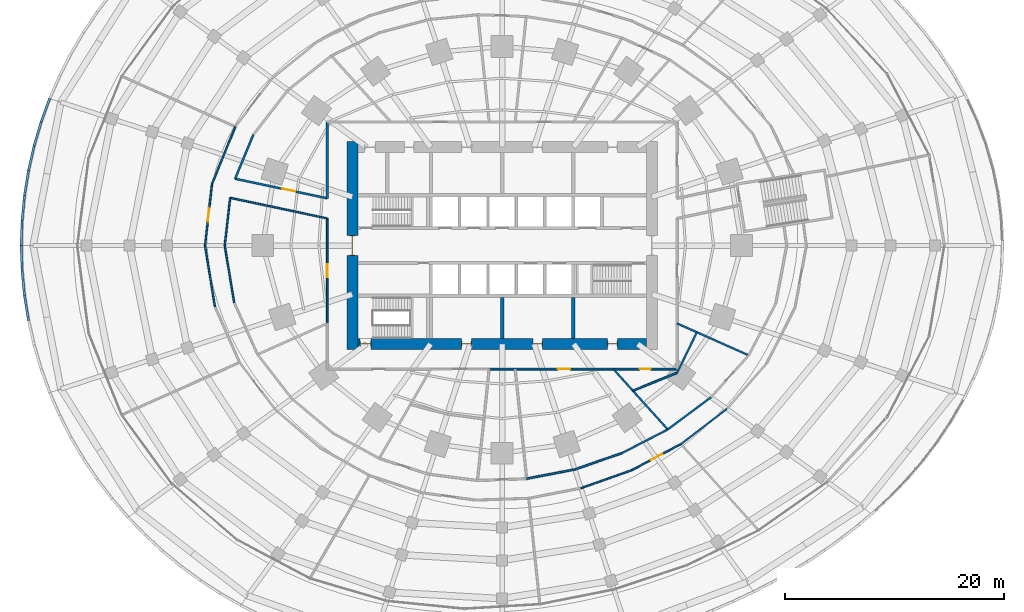
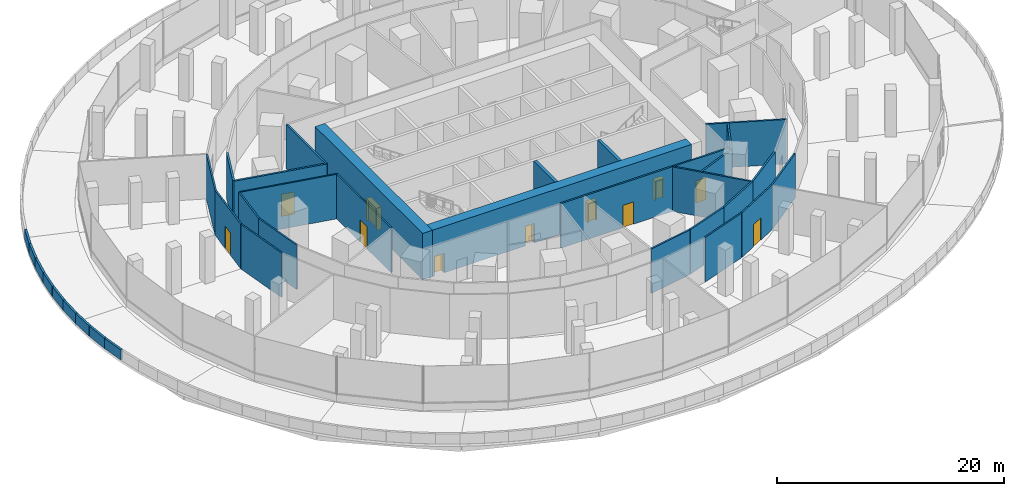
# One storey, part 23 of 31: 35 walls, 11 doors, 11 openings.
"""IFC4 building model written with IfcOpenShell, lengths in metres."""

from ifc_helpers import new_model, si_unit, direction, frame, frame_2d, origin, place, context, subcontext, project, spatial, rectangle, extrude, material, layer, layer_set, type_object, element, fill, save


model = new_model("IFC4")

# Units and contexts
model_context = context("Model", 3, precision=1e-05, world=origin(), true_north=direction((0.0, 1.0)))
body_context = subcontext(model_context, "Body", "Model", "MODEL_VIEW")
ifc_project = project(units=[si_unit("LENGTHUNIT", "METRE"), si_unit("AREAUNIT", "SQUARE_METRE"), si_unit("VOLUMEUNIT", "CUBIC_METRE"), si_unit("PLANEANGLEUNIT", "RADIAN"), si_unit("MASSUNIT", "GRAM", prefix="KILO")], contexts=[model_context])

# Site, building, storey
site_placement = place(None, origin())
site = spatial("IfcSite", under=ifc_project, at=site_placement, CompositionType="ELEMENT")
building_placement = place(site_placement, origin())
building = spatial("IfcBuilding", under=site, at=building_placement, Name="Marramba Exchange Tower", CompositionType="ELEMENT")
storey_placement = place(building_placement, frame((0.0, 0.0, 5.60009765625)))
storey = spatial("IfcBuildingStorey", under=building, at=storey_placement, Name="L01", CompositionType="ELEMENT", Elevation=5.60009765625)

# Walls
ifc_material_1 = material(Name="Plasterboard on staggered double steel studs, acoustic insulation", Category="steel")
ifc_layer_1 = layer(ifc_material_1, 0.169921875)
ifc_layer_set_1 = layer_set([ifc_layer_1], Name="Acoustic partition 170")
wall_type_1 = type_object("IfcWallType", Name="Acoustic partition 170", PredefinedType="PARTITIONING", material=ifc_layer_set_1)
wall_1_placement = place(storey_placement, frame((6.652587890625, -20.474609375, 0.0), z_axis=(0.0, 0.0, 1.0), x_axis=(-0.981933890717, -0.189224296169, 0.0)))
element("IfcWall", 1, at=wall_1_placement, inside=storey, type_object=wall_type_1, Name="Acoustic partition L01 31", PredefinedType="PARTITIONING", context=body_context, shape_type="SweptSolid", body=[
    extrude(rectangle(XDim=4.492431640625, YDim=0.169921875, at=frame_2d((2.24609375, 0.0))), origin(), (0.0, 0.0, 1.0), 4.7998046875),
])
wall_2_placement = place(storey_placement, frame((10.9599609375, -18.983154296875, 0.0), z_axis=(0.0, 0.0, 1.0), x_axis=(-0.944956141071, -0.327197022377, 0.0)))
element("IfcWall", 2, at=wall_2_placement, inside=storey, type_object=wall_type_1, Name="Acoustic partition L01 33", PredefinedType="PARTITIONING", context=body_context, shape_type="SweptSolid", body=[
    extrude(rectangle(XDim=4.558349609375, YDim=0.169921875, at=frame_2d((2.279296875, 0.0))), origin(), (0.0, 0.0, 1.0), 4.7998046875),
])

# Wall, openings, doors
wall_3_placement = place(storey_placement, frame((-1.187744140625, -11.300048828125, 0.0), z_axis=(0.0, 0.0, 1.0), x_axis=(1.0, 0.0, 0.0)))
wall_3 = element("IfcWall", 3, at=wall_3_placement, inside=storey, type_object=wall_type_1, Name="Acoustic partition L01 34", PredefinedType="PARTITIONING", context=body_context, shape_type="SweptSolid", body=[
    extrude(rectangle(XDim=17.187744140625, YDim=0.169921875, at=frame_2d((8.59375, 0.0))), origin(), (0.0, 0.0, 1.0), 4.7998046875),
])
opening_1_placement = place(wall_3_placement, frame((6.2939453125, 0.0, 0.0)))
opening_1 = element("IfcOpeningElement", 4, at=opening_1_placement, cuts=wall_3, Name="Opening D15", PredefinedType="OPENING", context=body_context, shape_type="SweptSolid", body=[
    extrude(rectangle(XDim=1.10009765625, YDim=2.39990234375, at=frame_2d((0.550048828125, 1.199951171875))), frame((0.0, 0.094970703125, 0.0), z_axis=(0.0, -1.0, 0.0), x_axis=(1.0, 0.0, 0.0)), (0.0, 0.0, 1.0), 0.18994140625),
])
opening_2_placement = place(wall_3_placement, frame((13.77490234375, 0.0, 0.0)))
opening_2 = element("IfcOpeningElement", 5, at=opening_2_placement, cuts=wall_3, Name="Opening D9", PredefinedType="OPENING", context=body_context, shape_type="SweptSolid", body=[
    extrude(rectangle(XDim=1.0, YDim=2.39990234375, at=frame_2d((0.5, 1.199951171875))), frame((0.0, 0.094970703125, 0.0), z_axis=(0.0, -1.0, 0.0), x_axis=(1.0, 0.0, 0.0)), (0.0, 0.0, 1.0), 0.18994140625),
])
ifc_material_2 = material(Name="Timber door", Category="wood")
door_type_1 = type_object("IfcDoorType", Name="Glazed meeting room door 1100x2400", OperationType="SINGLE_SWING_LEFT", PredefinedType="DOOR", material=ifc_material_2)
door_1_placement = place(opening_1_placement, origin())
door_1 = element("IfcDoor", 6, at=door_1_placement, inside=storey, type_object=door_type_1, Name="D15 Meeting Room 3 L01", OperationType="SINGLE_SWING_RIGHT", OverallHeight=2.39990234375, OverallWidth=1.10009765625, PredefinedType="DOOR", context=body_context, shape_type="SweptSolid", body=[
    extrude(rectangle(XDim=1.10009765625, YDim=2.39990234375, at=frame_2d((0.550048828125, 1.199951171875))), frame((0.0, 0.02490234375, 0.0), z_axis=(0.0, -1.0, 0.0), x_axis=(1.0, 0.0, 0.0)), (0.0, 0.0, 1.0), 0.050048828125),
])
fill(opening_1, door_1)
door_type_2 = type_object("IfcDoorType", Name="Room door 1000x2400", OperationType="SINGLE_SWING_LEFT", PredefinedType="DOOR", material=ifc_material_2)
door_2_placement = place(opening_2_placement, frame((1.0, 0.0, 0.0), z_axis=(0.0, 0.0, 1.0), x_axis=(-1.0, 0.0, 0.0)))
door_2 = element("IfcDoor", 7, at=door_2_placement, inside=storey, type_object=door_type_2, Name="D9 Quiet Room L01", OperationType="SINGLE_SWING_RIGHT", OverallHeight=2.39990234375, OverallWidth=1.0, PredefinedType="DOOR", context=body_context, shape_type="SweptSolid", body=[
    extrude(rectangle(XDim=1.0, YDim=2.39990234375, at=frame_2d((0.5, 1.199951171875))), frame((0.0, 0.025146484375, 0.0), z_axis=(0.0, -1.0, 0.0), x_axis=(1.0, 0.0, 0.0)), (0.0, 0.0, 1.0), 0.050048828125),
])
fill(opening_2, door_2)

# Walls
wall_4_placement = place(storey_placement, frame((15.144775390625, -16.81982421875, 0.0), z_axis=(0.0, 0.0, 1.0), x_axis=(-0.888324088064, -0.459217066935, 0.0)))
element("IfcWall", 8, at=wall_4_placement, inside=storey, type_object=wall_type_1, Name="Acoustic partition L01 36", PredefinedType="PARTITIONING", context=body_context, shape_type="SweptSolid", body=[
    extrude(rectangle(XDim=4.7109375, YDim=0.169921875, at=frame_2d((2.35546875, 0.0))), origin(), (0.0, 0.0, 1.0), 4.7998046875),
])
wall_5_placement = place(storey_placement, frame((10.174560546875, -11.300048828125, 0.0), z_axis=(0.0, 0.0, 1.0), x_axis=(0.669144492072, -0.74313232249, 0.0)))
element("IfcWall", 9, at=wall_5_placement, inside=storey, type_object=wall_type_1, Name="Acoustic partition L01 38", PredefinedType="PARTITIONING", context=body_context, shape_type="SweptSolid", body=[
    extrude(rectangle(XDim=7.427734375, YDim=0.169921875, at=frame_2d((3.7138671875, 0.0))), origin(), (0.0, 0.0, 1.0), 4.7998046875),
])
wall_6_placement = place(storey_placement, frame((19.1005859375, -13.87744140625, 0.0), z_axis=(0.0, 0.0, 1.0), x_axis=(-0.802376605187, -0.596818048862, 0.0)))
element("IfcWall", 10, at=wall_6_placement, inside=storey, type_object=wall_type_1, Name="Acoustic partition L01 40", PredefinedType="PARTITIONING", context=body_context, shape_type="SweptSolid", body=[
    extrude(rectangle(XDim=4.93017578125, YDim=0.169921875, at=frame_2d((2.465087890625, 0.0))), origin(), (0.0, 0.0, 1.0), 4.7998046875),
])
wall_7_placement = place(storey_placement, frame((16.010498046875, -11.63232421875, 0.0), z_axis=(0.0, 0.0, 1.0), x_axis=(-0.926462321179, -0.376387522955, 0.0)))
element("IfcWall", 11, at=wall_7_placement, inside=storey, type_object=wall_type_1, Name="Acoustic partition L01 41", PredefinedType="PARTITIONING", context=body_context, shape_type="SweptSolid", body=[
    extrude(rectangle(XDim=4.375732421875, YDim=0.169921875, at=frame_2d((2.18798828125, 0.0))), origin(), (0.0, 0.0, 1.0), 4.7998046875),
])
wall_8_placement = place(storey_placement, frame((17.807861328125, -7.9287109375, 0.0), z_axis=(0.0, 0.0, 1.0), x_axis=(-0.436602321688, -0.899654607445, 0.0)))
element("IfcWall", 12, at=wall_8_placement, inside=storey, type_object=wall_type_1, Name="Acoustic partition L01 42", PredefinedType="PARTITIONING", context=body_context, shape_type="SweptSolid", body=[
    extrude(rectangle(XDim=4.11669921875, YDim=0.169921875, at=frame_2d((2.058349609375, 0.0))), origin(), (0.0, 0.0, 1.0), 4.7998046875),
])
wall_9_placement = place(storey_placement, frame((22.547607421875, -10.038818359375, 0.0), z_axis=(0.0, 0.0, 1.0), x_axis=(-0.913552901279, 0.406719923982, 0.0)))
element("IfcWall", 13, at=wall_9_placement, inside=storey, type_object=wall_type_1, Name="Acoustic partition L01 45", PredefinedType="PARTITIONING", context=body_context, shape_type="SweptSolid", body=[
    extrude(rectangle(XDim=7.167236328125, YDim=0.169921875, at=frame_2d((3.58349609375, 0.0))), origin(), (0.0, 0.0, 1.0), 4.7998046875),
])

# Wall, openings, doors
ifc_material_3 = material(Name="Concrete N50", Category="concrete")
ifc_layer_2 = layer(ifc_material_3, 1.0)
ifc_layer_set_2 = layer_set([ifc_layer_2], Name="Core wall 1000")
wall_type_2 = type_object("IfcWallType", Name="Core wall 1000", PredefinedType="SHEAR", material=ifc_layer_set_2)
wall_10_placement = place(storey_placement, frame((-13.199951171875, -9.0, 0.0), z_axis=(0.0, 0.0, 1.0), x_axis=(1.0, 0.0, 0.0)))
wall_10 = element("IfcWall", 14, at=wall_10_placement, inside=storey, type_object=wall_type_2, Name="Core wall S L01", PredefinedType="SHEAR", context=body_context, shape_type="SweptSolid", body=[
    extrude(rectangle(XDim=26.39990234375, YDim=1.0, at=frame_2d((13.199951171875, 0.0))), origin(), (0.0, 0.0, 1.0), 5.0),
])
opening_3_placement = place(wall_10_placement, frame((0.199951171875, 0.0, 0.0)))
opening_3 = element("IfcOpeningElement", 15, at=opening_3_placement, cuts=wall_10, Name="Opening D2", PredefinedType="OPENING", context=body_context, shape_type="SweptSolid", body=[
    extrude(rectangle(XDim=1.0, YDim=2.10009765625, at=frame_2d((0.5, 1.050048828125))), frame((0.0, 0.510009765625, 0.0), z_axis=(0.0, -1.0, 0.0), x_axis=(1.0, 0.0, 0.0)), (0.0, 0.0, 1.0), 1.02001953125),
])
opening_4_placement = place(wall_10_placement, frame((9.5, 0.0, 0.0)))
opening_4 = element("IfcOpeningElement", 16, at=opening_4_placement, cuts=wall_10, Name="Opening D5", PredefinedType="OPENING", context=body_context, shape_type="SweptSolid", body=[
    extrude(rectangle(XDim=0.89990234375, YDim=2.10009765625, at=frame_2d((0.449951171875, 1.050048828125))), frame((0.0, 0.510009765625, 0.0), z_axis=(0.0, -1.0, 0.0), x_axis=(1.0, 0.0, 0.0)), (0.0, 0.0, 1.0), 1.02001953125),
])
opening_5_placement = place(wall_10_placement, frame((16.0, 0.0, 0.0)))
opening_5 = element("IfcOpeningElement", 17, at=opening_5_placement, cuts=wall_10, Name="Opening D5", PredefinedType="OPENING", context=body_context, shape_type="SweptSolid", body=[
    extrude(rectangle(XDim=0.89990234375, YDim=2.10009765625, at=frame_2d((0.449951171875, 1.050048828125))), frame((0.0, 0.510009765625, 0.0), z_axis=(0.0, -1.0, 0.0), x_axis=(1.0, 0.0, 0.0)), (0.0, 0.0, 1.0), 1.02001953125),
])
opening_6_placement = place(wall_10_placement, frame((22.85009765625, 0.0, 0.0)))
opening_6 = element("IfcOpeningElement", 18, at=opening_6_placement, cuts=wall_10, Name="Opening D5", PredefinedType="OPENING", context=body_context, shape_type="SweptSolid", body=[
    extrude(rectangle(XDim=0.89990234375, YDim=2.10009765625, at=frame_2d((0.449951171875, 1.050048828125))), frame((0.0, 0.510009765625, 0.0), z_axis=(0.0, -1.0, 0.0), x_axis=(1.0, 0.0, 0.0)), (0.0, 0.0, 1.0), 1.02001953125),
])
ifc_material_4 = material(Name="Steel-framed door", Category="steel")
door_type_3 = type_object("IfcDoorType", Name="Service door 900x2100", OperationType="SINGLE_SWING_LEFT", PredefinedType="DOOR", material=ifc_material_4)
door_3_placement = place(opening_4_placement, origin())
door_3 = element("IfcDoor", 19, at=door_3_placement, inside=storey, type_object=door_type_3, Name="D5 ahu L01", OperationType="SINGLE_SWING_RIGHT", OverallHeight=2.10009765625, OverallWidth=0.89990234375, PredefinedType="DOOR", context=body_context, shape_type="SweptSolid", body=[
    extrude(rectangle(XDim=0.81982421875, YDim=2.06005859375, at=frame_2d((0.449951171875, 1.030029296875))), frame((0.0, 0.02490234375, 0.0), z_axis=(0.0, -1.0, 0.0), x_axis=(1.0, 0.0, 0.0)), (0.0, 0.0, 1.0), 0.050048828125),
    extrude(rectangle(XDim=0.04, YDim=2.10009765625, at=frame_2d((0.02001953125, 1.050048828125))), frame((0.0, 0.25, 0.0), z_axis=(0.0, -1.0, 0.0), x_axis=(1.0, 0.0, 0.0)), (0.0, 0.0, 1.0), 0.5),
    extrude(rectangle(XDim=0.04, YDim=2.10009765625, at=frame_2d((0.8798828125, 1.050048828125))), frame((0.0, 0.25, 0.0), z_axis=(0.0, -1.0, 0.0), x_axis=(1.0, 0.0, 0.0)), (0.0, 0.0, 1.0), 0.5),
    extrude(rectangle(XDim=0.81982421875, YDim=0.04, at=frame_2d((0.449951171875, 2.080078125))), frame((0.0, 0.25, 0.0), z_axis=(0.0, -1.0, 0.0), x_axis=(1.0, 0.0, 0.0)), (0.0, 0.0, 1.0), 0.5),
])
fill(opening_4, door_3)
door_4_placement = place(opening_5_placement, origin())
door_4 = element("IfcDoor", 20, at=door_4_placement, inside=storey, type_object=door_type_3, Name="D5 switch L01", OperationType="SINGLE_SWING_RIGHT", OverallHeight=2.10009765625, OverallWidth=0.89990234375, PredefinedType="DOOR", context=body_context, shape_type="SweptSolid", body=[
    extrude(rectangle(XDim=0.81982421875, YDim=2.06005859375, at=frame_2d((0.449951171875, 1.030029296875))), frame((0.0, 0.02490234375, 0.0), z_axis=(0.0, -1.0, 0.0), x_axis=(1.0, 0.0, 0.0)), (0.0, 0.0, 1.0), 0.050048828125),
    extrude(rectangle(XDim=0.04, YDim=2.10009765625, at=frame_2d((0.02001953125, 1.050048828125))), frame((0.0, 0.25, 0.0), z_axis=(0.0, -1.0, 0.0), x_axis=(1.0, 0.0, 0.0)), (0.0, 0.0, 1.0), 0.5),
    extrude(rectangle(XDim=0.04, YDim=2.10009765625, at=frame_2d((0.8798828125, 1.050048828125))), frame((0.0, 0.25, 0.0), z_axis=(0.0, -1.0, 0.0), x_axis=(1.0, 0.0, 0.0)), (0.0, 0.0, 1.0), 0.5),
    extrude(rectangle(XDim=0.81982421875, YDim=0.04, at=frame_2d((0.449951171875, 2.080078125))), frame((0.0, 0.25, 0.0), z_axis=(0.0, -1.0, 0.0), x_axis=(1.0, 0.0, 0.0)), (0.0, 0.0, 1.0), 0.5),
])
fill(opening_5, door_4)
door_5_placement = place(opening_6_placement, origin())
door_5 = element("IfcDoor", 21, at=door_5_placement, inside=storey, type_object=door_type_3, Name="D5 cstore L01", OperationType="SINGLE_SWING_RIGHT", OverallHeight=2.10009765625, OverallWidth=0.89990234375, PredefinedType="DOOR", context=body_context, shape_type="SweptSolid", body=[
    extrude(rectangle(XDim=0.81982421875, YDim=2.06005859375, at=frame_2d((0.449951171875, 1.030029296875))), frame((0.0, 0.02490234375, 0.0), z_axis=(0.0, -1.0, 0.0), x_axis=(1.0, 0.0, 0.0)), (0.0, 0.0, 1.0), 0.050048828125),
    extrude(rectangle(XDim=0.04, YDim=2.10009765625, at=frame_2d((0.02001953125, 1.050048828125))), frame((0.0, 0.25, 0.0), z_axis=(0.0, -1.0, 0.0), x_axis=(1.0, 0.0, 0.0)), (0.0, 0.0, 1.0), 0.5),
    extrude(rectangle(XDim=0.04, YDim=2.10009765625, at=frame_2d((0.8798828125, 1.050048828125))), frame((0.0, 0.25, 0.0), z_axis=(0.0, -1.0, 0.0), x_axis=(1.0, 0.0, 0.0)), (0.0, 0.0, 1.0), 0.5),
    extrude(rectangle(XDim=0.81982421875, YDim=0.04, at=frame_2d((0.449951171875, 2.080078125))), frame((0.0, 0.25, 0.0), z_axis=(0.0, -1.0, 0.0), x_axis=(1.0, 0.0, 0.0)), (0.0, 0.0, 1.0), 0.5),
])
fill(opening_6, door_5)
door_type_4 = type_object("IfcDoorType", Name="Stair door 1000x2100", OperationType="SINGLE_SWING_LEFT", PredefinedType="DOOR", material=ifc_material_4)
door_6_placement = place(opening_3_placement, origin())
door_6 = element("IfcDoor", 22, at=door_6_placement, inside=storey, type_object=door_type_4, Name="D2 stair ST3 L01", OperationType="SINGLE_SWING_LEFT", OverallHeight=2.10009765625, OverallWidth=1.0, PredefinedType="DOOR", context=body_context, shape_type="SweptSolid", body=[
    extrude(rectangle(XDim=0.919921875, YDim=2.06005859375, at=frame_2d((0.5, 1.030029296875))), frame((0.0, 0.02490234375, 0.0), z_axis=(0.0, -1.0, 0.0), x_axis=(1.0, 0.0, 0.0)), (0.0, 0.0, 1.0), 0.050048828125),
    extrude(rectangle(XDim=0.04, YDim=2.10009765625, at=frame_2d((0.02001953125, 1.050048828125))), frame((0.0, 0.25, 0.0), z_axis=(0.0, -1.0, 0.0), x_axis=(1.0, 0.0, 0.0)), (0.0, 0.0, 1.0), 0.5),
    extrude(rectangle(XDim=0.04, YDim=2.10009765625, at=frame_2d((0.97998046875, 1.050048828125))), frame((0.0, 0.25, 0.0), z_axis=(0.0, -1.0, 0.0), x_axis=(1.0, 0.0, 0.0)), (0.0, 0.0, 1.0), 0.5),
    extrude(rectangle(XDim=0.919921875, YDim=0.04, at=frame_2d((0.5, 2.080078125))), frame((0.0, 0.25, 0.0), z_axis=(0.0, -1.0, 0.0), x_axis=(1.0, 0.0, 0.0)), (0.0, 0.0, 1.0), 0.5),
])
fill(opening_3, door_6)

# Wall, opening, door
wall_11_placement = place(storey_placement, frame((-13.699951171875, 9.5, 0.0), z_axis=(0.0, 0.0, 1.0), x_axis=(0.0, -1.0, 0.0)))
wall_11 = element("IfcWall", 23, at=wall_11_placement, inside=storey, type_object=wall_type_2, Name="Core wall W L01", PredefinedType="SHEAR", context=body_context, shape_type="SweptSolid", body=[
    extrude(rectangle(XDim=19.0, YDim=1.0, at=frame_2d((9.5, 0.0))), origin(), (0.0, 0.0, 1.0), 5.0),
])
opening_7_placement = place(wall_11_placement, frame((8.60009765625, 0.0, 0.0)))
opening_7 = element("IfcOpeningElement", 24, at=opening_7_placement, cuts=wall_11, Name="Opening D1", PredefinedType="OPENING", context=body_context, shape_type="SweptSolid", body=[
    extrude(rectangle(XDim=1.800048828125, YDim=2.39990234375, at=frame_2d((0.89990234375, 1.199951171875))), frame((0.0, 0.510009765625, 0.0), z_axis=(0.0, -1.0, 0.0), x_axis=(1.0, 0.0, 0.0)), (0.0, 0.0, 1.0), 1.02001953125),
])
door_type_5 = type_object("IfcDoorType", Name="Lobby exit door 1800x2400", OperationType="DOUBLE_DOOR_SINGLE_SWING", PredefinedType="DOOR", material=ifc_material_4)
door_7_placement = place(opening_7_placement, origin())
door_7 = element("IfcDoor", 25, at=door_7_placement, inside=storey, type_object=door_type_5, Name="D1 lobby exit west L01", OperationType="DOUBLE_DOOR_SINGLE_SWING", OverallHeight=2.39990234375, OverallWidth=1.800048828125, PredefinedType="DOOR", context=body_context, shape_type="SweptSolid", body=[
    extrude(rectangle(XDim=1.719970703125, YDim=2.35986328125, at=frame_2d((0.89990234375, 1.179931640625))), frame((0.0, 0.02490234375, 0.0), z_axis=(0.0, -1.0, 0.0), x_axis=(1.0, 0.0, 0.0)), (0.0, 0.0, 1.0), 0.050048828125),
    extrude(rectangle(XDim=0.04, YDim=2.39990234375, at=frame_2d((0.02001953125, 1.199951171875))), frame((0.0, 0.25, 0.0), z_axis=(0.0, -1.0, 0.0), x_axis=(1.0, 0.0, 0.0)), (0.0, 0.0, 1.0), 0.5),
    extrude(rectangle(XDim=0.04, YDim=2.39990234375, at=frame_2d((1.780029296875, 1.199951171875))), frame((0.0, 0.25, 0.0), z_axis=(0.0, -1.0, 0.0), x_axis=(1.0, 0.0, 0.0)), (0.0, 0.0, 1.0), 0.5),
    extrude(rectangle(XDim=1.719970703125, YDim=0.04, at=frame_2d((0.89990234375, 2.3798828125))), frame((0.0, 0.25, 0.0), z_axis=(0.0, -1.0, 0.0), x_axis=(1.0, 0.0, 0.0)), (0.0, 0.0, 1.0), 0.5),
])
fill(opening_7, door_7)

# Walls
ifc_layer_3 = layer(ifc_material_3, 0.300048828125)
ifc_layer_set_3 = layer_set([ifc_layer_3], Name="Core wall 300")
wall_type_3 = type_object("IfcWallType", Name="Core wall 300", PredefinedType="SHEAR", material=ifc_layer_set_3)
for number, where, z_axis, x_axis, name in (
    (26, (6.5, -4.75, 0.0), (0.0, 0.0, 1.0), (0.0, -1.0, 0.0), "Core wall X1Sb L01"),
    (27, (0.0, -4.75, 0.0), (0.0, 0.0, 1.0), (0.0, -1.0, 0.0), "Core wall MS L01"),
):
    element("IfcWall", number, at=place(storey_placement, frame(where, z_axis=z_axis, x_axis=x_axis)), inside=storey, type_object=wall_type_3, Name=name, PredefinedType="SHEAR", context=body_context, shape_type="SweptSolid", body=[
        extrude(rectangle(XDim=3.75, YDim=0.300048828125, at=frame_2d((1.875, 0.0))), origin(), (0.0, 0.0, 1.0), 5.0),
    ])
ifc_material_5 = material(Name="Core-filled concrete blockwork, rendered", Category="masonry")
ifc_layer_4 = layer(ifc_material_5, 0.18994140625)
ifc_layer_set_4 = layer_set([ifc_layer_4], Name="Equipment room wall 190")
wall_type_4 = type_object("IfcWallType", Name="Equipment room wall 190", PredefinedType="SOLIDWALL", material=ifc_layer_set_4)
wall_12_placement = place(storey_placement, frame((-16.0, 11.300048828125, 0.0), z_axis=(0.0, 0.0, 1.0), x_axis=(0.0, -1.0, 0.0)))
element("IfcWall", 28, at=wall_12_placement, inside=storey, type_object=wall_type_4, Name="Equipment room wall L01 93", PredefinedType="SOLIDWALL", context=body_context, shape_type="SweptSolid", body=[
    extrude(rectangle(XDim=6.97900390625, YDim=0.18994140625, at=frame_2d((3.489501953125, 0.0))), origin(), (0.0, 0.0, 1.0), 4.7998046875),
])
wall_13_placement = place(storey_placement, frame((-24.426025390625, 6.112060546875, 0.0), z_axis=(0.0, 0.0, 1.0), x_axis=(0.382639109324, 0.92389789047, 0.0)))
element("IfcWall", 29, at=wall_13_placement, inside=storey, type_object=wall_type_4, Name="Equipment room wall L01 95", PredefinedType="SOLIDWALL", context=body_context, shape_type="SweptSolid", body=[
    extrude(rectangle(XDim=4.352783203125, YDim=0.18994140625, at=frame_2d((2.17626953125, 0.0))), origin(), (0.0, 0.0, 1.0), 4.7998046875),
])

# Wall, opening, door
wall_14_placement = place(storey_placement, frame((-16.0, 4.321044921875, 0.0), z_axis=(0.0, 0.0, 1.0), x_axis=(-0.978147396771, 0.207912650384, 0.0)))
wall_14 = element("IfcWall", 30, at=wall_14_placement, inside=storey, type_object=wall_type_4, Name="Equipment room wall L01 97", PredefinedType="SOLIDWALL", context=body_context, shape_type="SweptSolid", body=[
    extrude(rectangle(XDim=8.6142578125, YDim=0.18994140625, at=frame_2d((4.30712890625, 0.0))), origin(), (0.0, 0.0, 1.0), 4.7998046875),
])
opening_8_placement = place(wall_14_placement, frame((3.006103515625, 0.0, 0.0)))
opening_8 = element("IfcOpeningElement", 31, at=opening_8_placement, cuts=wall_14, Name="Opening D13", PredefinedType="OPENING", context=body_context, shape_type="SweptSolid", body=[
    extrude(rectangle(XDim=1.199951171875, YDim=2.39990234375, at=frame_2d((0.60009765625, 1.199951171875))), frame((0.0, 0.10498046875, 0.0), z_axis=(0.0, -1.0, 0.0), x_axis=(1.0, 0.0, 0.0)), (0.0, 0.0, 1.0), 0.2099609375),
])
door_type_6 = type_object("IfcDoorType", Name="Tenancy entry door 1200x2400", OperationType="SINGLE_SWING_LEFT", PredefinedType="DOOR", material=ifc_material_4)
door_8_placement = place(opening_8_placement, origin())
door_8 = element("IfcDoor", 32, at=door_8_placement, inside=storey, type_object=door_type_6, Name="D13 Data Room L01", OperationType="SINGLE_SWING_LEFT", OverallHeight=2.39990234375, OverallWidth=1.199951171875, PredefinedType="DOOR", context=body_context, shape_type="SweptSolid", body=[
    extrude(rectangle(XDim=1.199951171875, YDim=2.39990234375, at=frame_2d((0.60009765625, 1.199951171875))), frame((0.0, 0.02490234375, 0.0), z_axis=(0.0, -1.0, 0.0), x_axis=(1.0, 0.0, 0.0)), (0.0, 0.0, 1.0), 0.050048828125),
])
fill(opening_8, door_8)

# Walls
ifc_material_6 = material(Name="Concrete N40", Category="concrete")
ifc_layer_5 = layer(ifc_material_6, 0.199951171875)
ifc_layer_set_5 = layer_set([ifc_layer_5], Name="Roof parapet 200")
wall_type_5 = type_object("IfcWallType", Name="Roof parapet 200", PredefinedType="PARAPET", material=ifc_layer_set_5)
wall_15_placement = place(storey_placement, frame((-41.390380859375, 13.448486328125, 0.0), z_axis=(0.0, 0.0, 1.0), x_axis=(-0.340979832068, -0.940070611243, 0.0)))
element("IfcWall", 33, at=wall_15_placement, inside=storey, type_object=wall_type_5, Name="Parapet L01 bay 10", PredefinedType="PARAPET", context=body_context, shape_type="SweptSolid", body=[
    extrude(rectangle(XDim=2.2861328125, YDim=0.199951171875, at=frame_2d((1.14306640625, 0.0))), origin(), (0.0, 0.0, 1.0), 1.099853515625),
])
wall_16_placement = place(storey_placement, frame((-42.169921875, 11.29931640625, 0.0), z_axis=(0.0, 0.0, 1.0), x_axis=(-0.281693303794, -0.959504498477, 0.0)))
element("IfcWall", 34, at=wall_16_placement, inside=storey, type_object=wall_type_5, Name="Parapet L01 bay 10", PredefinedType="PARAPET", context=body_context, shape_type="SweptSolid", body=[
    extrude(rectangle(XDim=2.29150390625, YDim=0.199951171875, at=frame_2d((1.145751953125, 0.0))), origin(), (0.0, 0.0, 1.0), 1.099853515625),
])
wall_17_placement = place(storey_placement, frame((-42.8154296875, 9.1005859375, 0.0), z_axis=(0.0, 0.0, 1.0), x_axis=(-0.220678674432, -0.975346565407, 0.0)))
element("IfcWall", 35, at=wall_17_placement, inside=storey, type_object=wall_type_5, Name="Parapet L01 bay 10", PredefinedType="PARAPET", context=body_context, shape_type="SweptSolid", body=[
    extrude(rectangle(XDim=2.295654296875, YDim=0.199951171875, at=frame_2d((1.14794921875, 0.0))), origin(), (0.0, 0.0, 1.0), 1.099853515625),
])
wall_18_placement = place(storey_placement, frame((-43.322021484375, 6.861572265625, 0.0), z_axis=(0.0, 0.0, 1.0), x_axis=(-0.158644822844, -0.987335718074, 0.0)))
element("IfcWall", 36, at=wall_18_placement, inside=storey, type_object=wall_type_5, Name="Parapet L01 bay 10", PredefinedType="PARAPET", context=body_context, shape_type="SweptSolid", body=[
    extrude(rectangle(XDim=2.299072265625, YDim=0.199951171875, at=frame_2d((1.1494140625, 0.0))), origin(), (0.0, 0.0, 1.0), 1.099853515625),
])
wall_19_placement = place(storey_placement, frame((-43.686767578125, 4.591552734375, 0.0), z_axis=(0.0, 0.0, 1.0), x_axis=(-0.095490017992, -0.995430387553, 0.0)))
element("IfcWall", 37, at=wall_19_placement, inside=storey, type_object=wall_type_5, Name="Parapet L01 bay 10", PredefinedType="PARAPET", context=body_context, shape_type="SweptSolid", body=[
    extrude(rectangle(XDim=2.301025390625, YDim=0.199951171875, at=frame_2d((1.150390625, 0.0))), origin(), (0.0, 0.0, 1.0), 1.099853515625),
])
for number, where, z_axis, x_axis, name in (
    (38, (-43.906494140625, 2.301025390625, 0.0), (0.0, 0.0, 1.0), (-0.031920065558, -0.999490424874, 0.0), "Parapet L01 bay 10"),
    (39, (-43.97998046875, 0.0, 0.0), (0.0, 0.0, 1.0), (0.031920065558, -0.999490424874, 0.0), "Parapet L01 bay 11"),
):
    element("IfcWall", number, at=place(storey_placement, frame(where, z_axis=z_axis, x_axis=x_axis)), inside=storey, type_object=wall_type_5, Name=name, PredefinedType="PARAPET", context=body_context, shape_type="SweptSolid", body=[
        extrude(rectangle(XDim=2.30224609375, YDim=0.199951171875, at=frame_2d((1.151123046875, 0.0))), origin(), (0.0, 0.0, 1.0), 1.099853515625),
    ])
wall_20_placement = place(storey_placement, frame((-43.906494140625, -2.301025390625, 0.0), z_axis=(0.0, 0.0, 1.0), x_axis=(0.095490017992, -0.995430387553, 0.0)))
element("IfcWall", 40, at=wall_20_placement, inside=storey, type_object=wall_type_5, Name="Parapet L01 bay 11", PredefinedType="PARAPET", context=body_context, shape_type="SweptSolid", body=[
    extrude(rectangle(XDim=2.301025390625, YDim=0.199951171875, at=frame_2d((1.150390625, 0.0))), origin(), (0.0, 0.0, 1.0), 1.099853515625),
])
wall_21_placement = place(storey_placement, frame((-43.686767578125, -4.591552734375, 0.0), z_axis=(0.0, 0.0, 1.0), x_axis=(0.158644822844, -0.987335718074, 0.0)))
element("IfcWall", 41, at=wall_21_placement, inside=storey, type_object=wall_type_5, Name="Parapet L01 bay 11", PredefinedType="PARAPET", context=body_context, shape_type="SweptSolid", body=[
    extrude(rectangle(XDim=2.299072265625, YDim=0.199951171875, at=frame_2d((1.1494140625, 0.0))), origin(), (0.0, 0.0, 1.0), 1.099853515625),
])
ifc_material_7 = material(Name="Fire-rated plasterboard on steel studs, acoustic insulation", Category="steel")
ifc_layer_6 = layer(ifc_material_7, 0.14990234375)
ifc_layer_set_6 = layer_set([ifc_layer_6], Name="Tenancy wall 150")
wall_type_6 = type_object("IfcWallType", Name="Tenancy wall 150", PredefinedType="PARTITIONING", material=ifc_layer_set_6)
wall_22_placement = place(storey_placement, frame((-24.5126953125, -5.210205078125, 0.0), z_axis=(0.0, 0.0, 1.0), x_axis=(-0.163281882092, 0.986579458017, 0.0)))
element("IfcWall", 42, at=wall_22_placement, inside=storey, type_object=wall_type_6, Name="Tenancy wall L01 01", PredefinedType="PARTITIONING", context=body_context, shape_type="SweptSolid", body=[
    extrude(rectangle(XDim=5.281005859375, YDim=0.14990234375, at=frame_2d((2.640625, 0.0))), origin(), (0.0, 0.0, 1.0), 4.7998046875),
])
wall_23_placement = place(storey_placement, frame((-27.175048828125, 0.0, 0.0), z_axis=(0.0, 0.0, 1.0), x_axis=(0.159378978447, -0.987217474131, 0.0)))
element("IfcWall", 43, at=wall_23_placement, inside=storey, type_object=wall_type_6, Name="Tenancy wall L01 02", PredefinedType="PARTITIONING", context=body_context, shape_type="SweptSolid", body=[
    extrude(rectangle(XDim=5.656982421875, YDim=0.14990234375, at=frame_2d((2.82861328125, 0.0))), origin(), (0.0, 0.0, 1.0), 4.7998046875),
])

# Wall, opening, door
wall_24_placement = place(storey_placement, frame((-16.0, 2.480712890625, 0.0), z_axis=(0.0, 0.0, 1.0), x_axis=(0.0, -1.0, 0.0)))
wall_24 = element("IfcWall", 44, at=wall_24_placement, inside=storey, type_object=wall_type_6, Name="Tenancy wall L01 03", PredefinedType="PARTITIONING", context=body_context, shape_type="SweptSolid", body=[
    extrude(rectangle(XDim=9.6044921875, YDim=0.14990234375, at=frame_2d((4.80224609375, 0.0))), origin(), (0.0, 0.0, 1.0), 4.7998046875),
])
opening_9_placement = place(wall_24_placement, frame((4.201904296875, 0.0, 0.0)))
opening_9 = element("IfcOpeningElement", 45, at=opening_9_placement, cuts=wall_24, Name="Opening D13", PredefinedType="OPENING", context=body_context, shape_type="SweptSolid", body=[
    extrude(rectangle(XDim=1.199951171875, YDim=2.39990234375, at=frame_2d((0.60009765625, 1.199951171875))), frame((0.0, 0.0849609375, 0.0), z_axis=(0.0, -1.0, 0.0), x_axis=(1.0, 0.0, 0.0)), (0.0, 0.0, 1.0), 0.169921875),
])
door_9_placement = place(opening_9_placement, origin())
door_9 = element("IfcDoor", 46, at=door_9_placement, inside=storey, type_object=door_type_6, Name="D13 Operations Control Room L01", OperationType="SINGLE_SWING_RIGHT", OverallHeight=2.39990234375, OverallWidth=1.199951171875, PredefinedType="DOOR", context=body_context, shape_type="SweptSolid", body=[
    extrude(rectangle(XDim=1.199951171875, YDim=2.39990234375, at=frame_2d((0.60009765625, 1.199951171875))), frame((0.0, 0.02490234375, 0.0), z_axis=(0.0, -1.0, 0.0), x_axis=(1.0, 0.0, 0.0)), (0.0, 0.0, 1.0), 0.050048828125),
])
fill(opening_9, door_9)

# Wall
wall_25_placement = place(storey_placement, frame((7.208740234375, -22.1865234375, 0.0), z_axis=(0.0, 0.0, 1.0), x_axis=(0.94280197492, 0.333353320197, 0.0)))
element("IfcWall", 47, at=wall_25_placement, inside=storey, type_object=wall_type_6, Name="Tenancy wall L01 32", PredefinedType="PARTITIONING", context=body_context, shape_type="SweptSolid", body=[
    extrude(rectangle(XDim=4.933349609375, YDim=0.14990234375, at=frame_2d((2.466796875, 0.0))), origin(), (0.0, 0.0, 1.0), 4.7998046875),
])

# Wall, opening, door
wall_26_placement = place(storey_placement, frame((11.85986328125, -20.5419921875, 0.0), z_axis=(0.0, 0.0, 1.0), x_axis=(0.883167950269, 0.469056895928, 0.0)))
wall_26 = element("IfcWall", 48, at=wall_26_placement, inside=storey, type_object=wall_type_6, Name="Tenancy wall L01 35", PredefinedType="PARTITIONING", context=body_context, shape_type="SweptSolid", body=[
    extrude(rectangle(XDim=5.083251953125, YDim=0.14990234375, at=frame_2d((2.54150390625, 0.0))), origin(), (0.0, 0.0, 1.0), 4.7998046875),
])
opening_10_placement = place(wall_26_placement, frame((1.967041015625, 0.0, 0.0)))
opening_10 = element("IfcOpeningElement", 49, at=opening_10_placement, cuts=wall_26, Name="Opening D13", PredefinedType="OPENING", context=body_context, shape_type="SweptSolid", body=[
    extrude(rectangle(XDim=1.199951171875, YDim=2.39990234375, at=frame_2d((0.60009765625, 1.199951171875))), frame((0.0, 0.0849609375, 0.0), z_axis=(0.0, -1.0, 0.0), x_axis=(1.0, 0.0, 0.0)), (0.0, 0.0, 1.0), 0.169921875),
])
door_10_placement = place(opening_10_placement, origin())
door_10 = element("IfcDoor", 50, at=door_10_placement, inside=storey, type_object=door_type_6, Name="D13 Release Testing Office L01", OperationType="SINGLE_SWING_RIGHT", OverallHeight=2.39990234375, OverallWidth=1.199951171875, PredefinedType="DOOR", context=body_context, shape_type="SweptSolid", body=[
    extrude(rectangle(XDim=1.199951171875, YDim=2.39990234375, at=frame_2d((0.60009765625, 1.199951171875))), frame((0.0, 0.02490234375, 0.0), z_axis=(0.0, -1.0, 0.0), x_axis=(1.0, 0.0, 0.0)), (0.0, 0.0, 1.0), 0.050048828125),
])
fill(opening_10, door_10)

# Walls
wall_27_placement = place(storey_placement, frame((16.34912109375, -18.15771484375, 0.0), z_axis=(0.0, 0.0, 1.0), x_axis=(0.793951005075, 0.607981744414, 0.0)))
element("IfcWall", 51, at=wall_27_placement, inside=storey, type_object=wall_type_6, Name="Tenancy wall L01 39", PredefinedType="PARTITIONING", context=body_context, shape_type="SweptSolid", body=[
    extrude(rectangle(XDim=5.2998046875, YDim=0.14990234375, at=frame_2d((2.64990234375, 0.0))), origin(), (0.0, 0.0, 1.0), 4.7998046875),
])
wall_28_placement = place(storey_placement, frame((-24.40478515625, 10.86572265625, 0.0), z_axis=(0.0, 0.0, 1.0), x_axis=(-0.377840993827, -0.925870500331, 0.0)))
element("IfcWall", 52, at=wall_28_placement, inside=storey, type_object=wall_type_6, Name="Tenancy wall L01 96", PredefinedType="PARTITIONING", context=body_context, shape_type="SweptSolid", body=[
    extrude(rectangle(XDim=5.6435546875, YDim=0.14990234375, at=frame_2d((2.82177734375, 0.0))), origin(), (0.0, 0.0, 1.0), 4.7998046875),
])
wall_29_placement = place(storey_placement, frame((-24.87841796875, 4.367919921875, 0.0), z_axis=(0.0, 0.0, 1.0), x_axis=(0.978146681327, -0.207916016242, 0.0)))
element("IfcWall", 53, at=wall_29_placement, inside=storey, type_object=wall_type_6, Name="Tenancy wall L01 98", PredefinedType="PARTITIONING", context=body_context, shape_type="SweptSolid", body=[
    extrude(rectangle(XDim=9.07666015625, YDim=0.14990234375, at=frame_2d((4.538330078125, 0.0))), origin(), (0.0, 0.0, 1.0), 4.7998046875),
])

# Wall, opening, door
wall_30_placement = place(storey_placement, frame((-26.537109375, 5.640625, 0.0), z_axis=(0.0, 0.0, 1.0), x_axis=(-0.112380851228, -0.99366520734, 0.0)))
wall_30 = element("IfcWall", 54, at=wall_30_placement, inside=storey, type_object=wall_type_6, Name="Tenancy wall L01 99", PredefinedType="PARTITIONING", context=body_context, shape_type="SweptSolid", body=[
    extrude(rectangle(XDim=5.676513671875, YDim=0.14990234375, at=frame_2d((2.83837890625, 0.0))), origin(), (0.0, 0.0, 1.0), 4.7998046875),
])
opening_11_placement = place(wall_30_placement, frame((2.262939453125, 0.0, 0.0)))
opening_11 = element("IfcOpeningElement", 55, at=opening_11_placement, cuts=wall_30, Name="Opening D13", PredefinedType="OPENING", context=body_context, shape_type="SweptSolid", body=[
    extrude(rectangle(XDim=1.199951171875, YDim=2.39990234375, at=frame_2d((0.60009765625, 1.199951171875))), frame((0.0, 0.0849609375, 0.0), z_axis=(0.0, -1.0, 0.0), x_axis=(1.0, 0.0, 0.0)), (0.0, 0.0, 1.0), 0.169921875),
])
door_11_placement = place(opening_11_placement, origin())
door_11 = element("IfcDoor", 56, at=door_11_placement, inside=storey, type_object=door_type_6, Name="D13 Network Operations Office L01", OperationType="SINGLE_SWING_RIGHT", OverallHeight=2.39990234375, OverallWidth=1.199951171875, PredefinedType="DOOR", context=body_context, shape_type="SweptSolid", body=[
    extrude(rectangle(XDim=1.199951171875, YDim=2.39990234375, at=frame_2d((0.60009765625, 1.199951171875))), frame((0.0, 0.02490234375, 0.0), z_axis=(0.0, -1.0, 0.0), x_axis=(1.0, 0.0, 0.0)), (0.0, 0.0, 1.0), 0.050048828125),
])
fill(opening_11, door_11)

# Wall
wall_31_placement = place(storey_placement, frame((-25.375, 0.0, 0.0), z_axis=(0.0, 0.0, 1.0), x_axis=(0.112960777867, 0.993599447798, 0.0)))
element("IfcWall", 57, at=wall_31_placement, inside=storey, type_object=wall_type_6, Name="Tenancy wall L01 100", PredefinedType="PARTITIONING", context=body_context, shape_type="SweptSolid", body=[
    extrude(rectangle(XDim=4.39599609375, YDim=0.14990234375, at=frame_2d((2.197998046875, 0.0))), origin(), (0.0, 0.0, 1.0), 4.7998046875),
])

save(model, "model.ifc")
